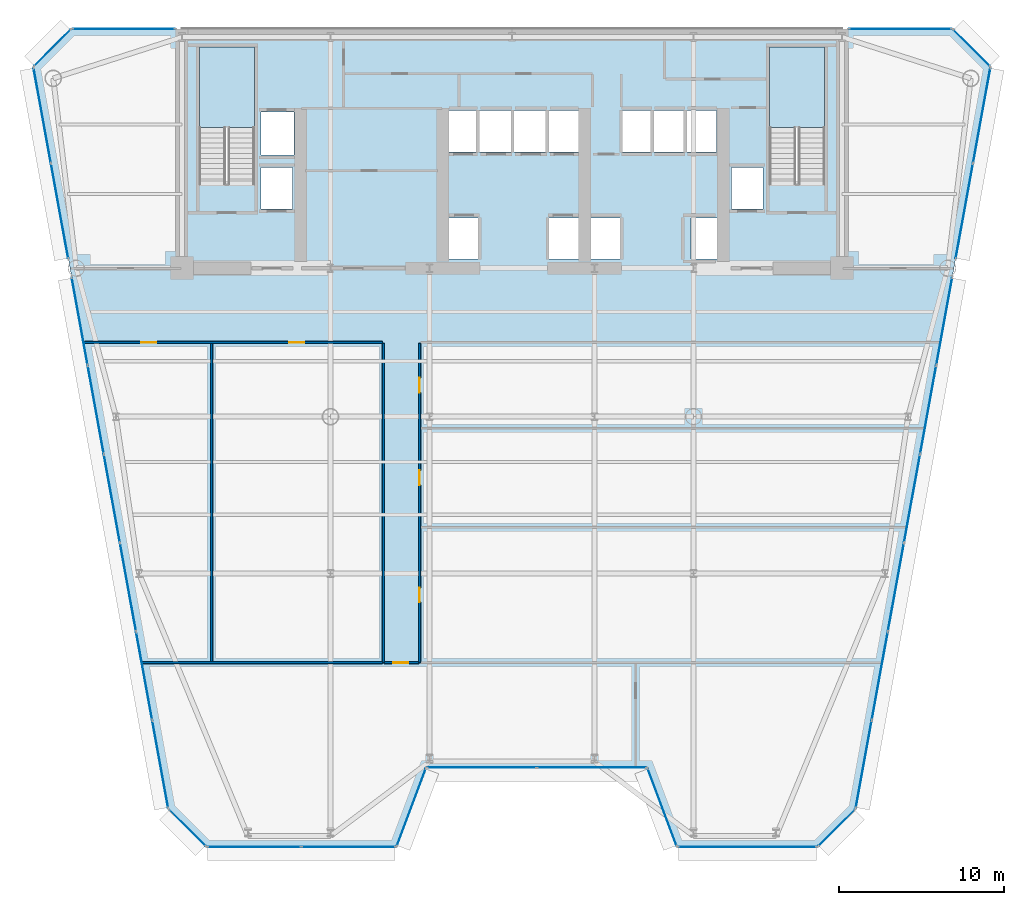
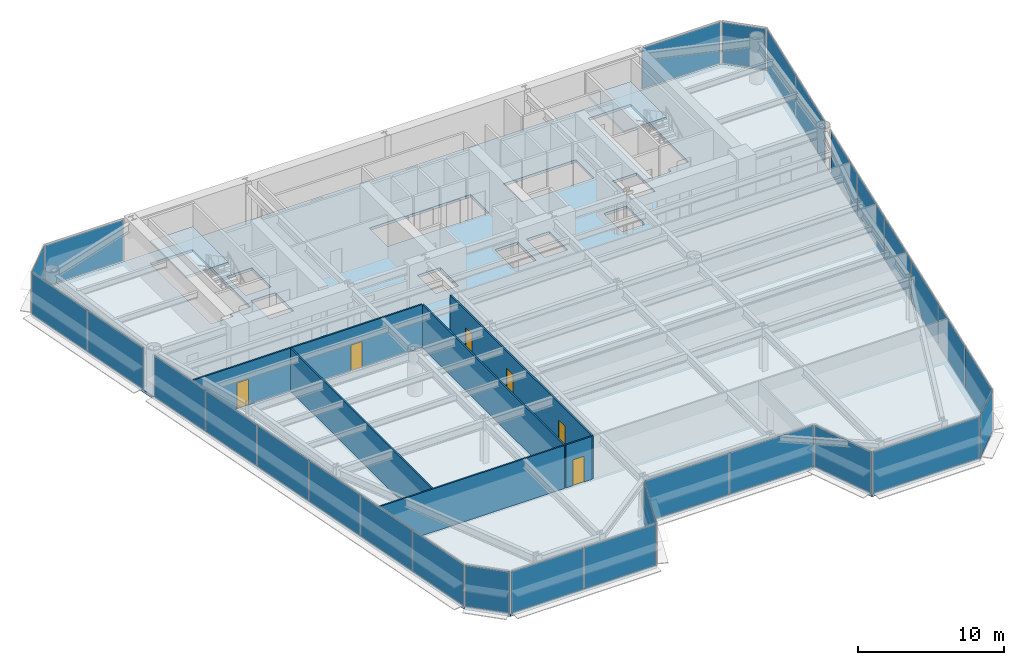
# One storey, part 7 of 14: 29 plates, 6 doors, 6 walls, 3 slabs, 6 openings, 17 elements without a shape of their own.
"""IFC4 building model written with IfcOpenShell, lengths in metres."""

from ifc_helpers import new_model, si_unit, direction, frame, frame_2d, origin, origin_2d, place, context, subcontext, project, spatial, polyline, rectangle, outline, extrude, source, transform, mapped, material, layer, layer_set, type_object, element, fill, aggregate, save


model = new_model("IFC4")

# Units and contexts
model_context = context("Model", 3, precision=1e-05, world=origin(), true_north=direction((0.0, 1.0)))
body_context = subcontext(model_context, "Body", "Model", "MODEL_VIEW")
ifc_project = project(units=[si_unit("LENGTHUNIT", "METRE"), si_unit("AREAUNIT", "SQUARE_METRE"), si_unit("VOLUMEUNIT", "CUBIC_METRE"), si_unit("PLANEANGLEUNIT", "RADIAN"), si_unit("MASSUNIT", "GRAM", prefix="KILO")], contexts=[model_context])

# Site, building, storey
site_placement = place(None, origin())
site = spatial("IfcSite", under=ifc_project, at=site_placement, CompositionType="ELEMENT")
building_placement = place(site_placement, origin())
building = spatial("IfcBuilding", under=site, at=building_placement, Name="Vaeldorn Concourse Tower", CompositionType="ELEMENT")
storey_placement = place(building_placement, frame((0.0, 0.0, 122.39990234375)))
storey = spatial("IfcBuildingStorey", under=building, at=storey_placement, Name="L31", CompositionType="ELEMENT", Elevation=122.39990234375)

# Stair, slab
ifc_material_1 = material(Name="Precast concrete C40/50", Category="concrete")
stair_type = type_object("IfcStairType", Name="STR-DOG-24x158", PredefinedType="HALF_TURN_STAIR", material=ifc_material_1)
stair_1_placement = place(storey_placement, origin())
stair_1 = element("IfcStair", 1, at=stair_1_placement, inside=storey, type_object=stair_type, Name="L31 West Core Exit Stair ST-1", PredefinedType="HALF_TURN_STAIR")
ifc_material_2 = material(Name="Concrete C40/50", Category="concrete")
ifc_layer_1 = layer(ifc_material_2, 0.199951171875)
ifc_layer_set_1 = layer_set([ifc_layer_1], Name="Concrete C40/50")
slab_type_1 = type_object("IfcSlabType", Name="SL-STAIR-LANDING", PredefinedType="LANDING", material=ifc_layer_set_1)
slab_1_placement = place(storey_placement, frame((0.0, 0.0, 1.7001953125)))
slab_1 = element("IfcSlab", 2, at=slab_1_placement, type_object=slab_type_1, Name="ST-1 landing 1", PredefinedType="LANDING", context=body_context, shape_type="SweptSolid", body=[
    extrude(outline(polyline([(18.39990234375, 45.010009765625), (18.39990234375, 49.89990234375), (15.050048828125, 49.89990234375), (15.050048828125, 45.010009765625), (18.39990234375, 45.010009765625)])), origin(), (0.0, 0.0, 1.0), 0.199951171875),
])
aggregate(stair_1, [slab_1])

stair_2_placement = place(storey_placement, origin())
stair_2 = element("IfcStair", 3, at=stair_2_placement, inside=storey, type_object=stair_type, Name="L31 East Core Exit Stair ST-2", PredefinedType="HALF_TURN_STAIR")
slab_2_placement = place(storey_placement, frame((0.0, 0.0, 1.7001953125)))
slab_2 = element("IfcSlab", 4, at=slab_2_placement, type_object=slab_type_1, Name="ST-2 landing 1", PredefinedType="LANDING", context=body_context, shape_type="SweptSolid", body=[
    extrude(outline(polyline([(52.949951171875, 45.010009765625), (52.949951171875, 49.89990234375), (49.60009765625, 49.89990234375), (49.60009765625, 45.010009765625), (52.949951171875, 45.010009765625)])), origin(), (0.0, 0.0, 1.0), 0.199951171875),
])
aggregate(stair_2, [slab_2])

# Slab
ifc_layer_2 = layer(ifc_material_2, 0.219970703125)
ifc_layer_set_2 = layer_set([ifc_layer_2], Name="Concrete C40/50")
slab_type_2 = type_object("IfcSlabType", Name="SL-TYP-220", PredefinedType="FLOOR", material=ifc_layer_set_2)
slab_3_placement = place(storey_placement, frame((0.0, 0.0, -0.219970703125)))
element("IfcSlab", 5, at=slab_3_placement, inside=storey, type_object=slab_type_2, Name="Structural Floor Slab L31", PredefinedType="FLOOR", context=body_context, shape_type="SweptSolid", body=[
    extrude(outline(polyline([(15.478271484375, 1.4345703125), (27.0, 1.4345703125), (28.800048828125, 6.234619140625), (42.199951171875, 6.234619140625), (44.0, 1.4345703125), (52.521728515625, 1.4345703125), (54.82177734375, 3.734619140625), (63.0, 48.699951171875), (60.699951171875, 51.0), (7.300048828125, 51.0), (5.0, 48.699951171875), (13.17822265625, 3.734619140625), (15.478271484375, 1.4345703125)]), holes=[polyline([(18.39990234375, 42.0), (18.39990234375, 49.89990234375), (15.050048828125, 49.89990234375), (15.050048828125, 41.60009765625), (16.800048828125, 41.60009765625), (16.800048828125, 42.0), (18.39990234375, 42.0)]), polyline([(52.949951171875, 42.0), (52.949951171875, 49.89990234375), (49.60009765625, 49.89990234375), (49.60009765625, 41.60009765625), (51.35009765625, 41.60009765625), (51.35009765625, 42.0), (52.949951171875, 42.0)]), polyline([(30.14990234375, 37.050048828125), (31.949951171875, 37.050048828125), (31.949951171875, 39.550048828125), (30.14990234375, 39.550048828125), (30.14990234375, 37.050048828125)]), polyline([(36.25, 37.050048828125), (38.050048828125, 37.050048828125), (38.050048828125, 39.550048828125), (36.25, 39.550048828125), (36.25, 37.050048828125)]), polyline([(30.10009765625, 43.550048828125), (38.10009765625, 43.550048828125), (38.10009765625, 46.050048828125), (30.10009765625, 46.050048828125), (30.10009765625, 43.550048828125)]), polyline([(38.75, 37.050048828125), (40.550048828125, 37.050048828125), (40.550048828125, 39.550048828125), (38.75, 39.550048828125), (38.75, 37.050048828125)]), polyline([(44.85009765625, 37.050048828125), (46.64990234375, 37.050048828125), (46.64990234375, 39.550048828125), (44.85009765625, 39.550048828125), (44.85009765625, 37.050048828125)]), polyline([(40.699951171875, 43.550048828125), (46.39990234375, 43.550048828125), (46.39990234375, 46.050048828125), (40.699951171875, 46.050048828125), (40.699951171875, 43.550048828125)]), polyline([(18.800048828125, 43.35009765625), (20.800048828125, 43.35009765625), (20.800048828125, 45.949951171875), (18.800048828125, 45.949951171875), (18.800048828125, 43.35009765625)]), polyline([(18.800048828125, 40.10009765625), (20.699951171875, 40.10009765625), (20.699951171875, 42.60009765625), (18.800048828125, 42.60009765625), (18.800048828125, 40.10009765625)]), polyline([(47.300048828125, 40.10009765625), (49.199951171875, 40.10009765625), (49.199951171875, 42.60009765625), (47.300048828125, 42.60009765625), (47.300048828125, 40.10009765625)])]), origin(), (0.0, 0.0, 1.0), 0.219970703125),
])

# Curtain wall, plate
ifc_material_3 = material(Name="Anodised Bronze Aluminium", Category="aluminium")
ifc_layer_3 = layer(ifc_material_3, 0.199951171875)
ifc_layer_set_3 = layer_set([ifc_layer_3], Name="Anodised Bronze Aluminium")
curtain_wall_type = type_object("IfcCurtainWallType", Name="CW-SYS-02", PredefinedType="NOTDEFINED", material=ifc_layer_set_3)
curtain_wall_1_placement = place(storey_placement, origin())
curtain_wall_1 = element("IfcCurtainWall", 6, at=curtain_wall_1_placement, inside=storey, type_object=curtain_wall_type, Name="Unitised Curtain Wall CW-L31-E02-1", PredefinedType="NOTDEFINED")
ifc_material_4 = material(Name="Bronze Tinted Low-E Insulated Glass", Category="glass")
ifc_layer_4 = layer(ifc_material_4, 0.031982421875)
ifc_layer_set_4 = layer_set([ifc_layer_4], Name="Bronze Tinted Low-E Insulated Glass")
plate_type = type_object("IfcPlateType", Name="CWP-VISION-32", PredefinedType="CURTAIN_PANEL", material=ifc_layer_set_4)
shared_shape_1 = source(origin(), body_context, "Body", "SweptSolid", [
    extrude(rectangle(XDim=4.976318359375, YDim=0.031982421875, at=origin_2d()), origin(), (0.0, 0.0, 1.0), 3.429931640625),
])
plate_1_placement = place(storey_placement, frame((27.89990234375, 3.83447265625, 0.0751953125), z_axis=(0.0, 0.0, 1.0), x_axis=(0.351123441595, 0.936329177566, 0.0)))
plate_1 = element("IfcPlate", 7, at=plate_1_placement, type_object=plate_type, Name="CW-02 panel 1.1", PredefinedType="CURTAIN_PANEL", context=body_context, shape_type="MappedRepresentation", body=[
    mapped(shared_shape_1, transform((0.0, 0.0, 0.0), scale=1.0)),
])
aggregate(curtain_wall_1, [plate_1])

curtain_wall_2_placement = place(storey_placement, origin())
curtain_wall_2 = element("IfcCurtainWall", 8, at=curtain_wall_2_placement, inside=storey, type_object=curtain_wall_type, Name="Unitised Curtain Wall CW-L31-E04-1", PredefinedType="NOTDEFINED")
plate_2_placement = place(storey_placement, frame((43.10009765625, 3.83447265625, 0.0751953125), z_axis=(0.0, 0.0, 1.0), x_axis=(0.351123441595, -0.936329177566, 0.0)))
plate_2 = element("IfcPlate", 9, at=plate_2_placement, type_object=plate_type, Name="CW-02 panel 1.1", PredefinedType="CURTAIN_PANEL", context=body_context, shape_type="MappedRepresentation", body=[
    mapped(shared_shape_1, transform((0.0, 0.0, 0.0), scale=1.0)),
])
aggregate(curtain_wall_2, [plate_2])

# Curtain wall, plates
curtain_wall_3_placement = place(storey_placement, origin())
curtain_wall_3 = element("IfcCurtainWall", 10, at=curtain_wall_3_placement, inside=storey, type_object=curtain_wall_type, Name="Unitised Curtain Wall CW-L31-E03-1", PredefinedType="NOTDEFINED")
shared_shape_2 = source(origin(), body_context, "Body", "SweptSolid", [
    extrude(rectangle(XDim=6.58740234375, YDim=0.031982421875, at=origin_2d()), origin(), (0.0, 0.0, 1.0), 3.429931640625),
])
plate_3_placement = place(storey_placement, frame((32.168701171875, 6.234619140625, 0.0751953125), z_axis=(0.0, 0.0, 1.0), x_axis=(1.0, 0.0, 0.0)))
plate_3 = element("IfcPlate", 11, at=plate_3_placement, type_object=plate_type, Name="CW-02 panel 1.1", PredefinedType="CURTAIN_PANEL", context=body_context, shape_type="MappedRepresentation", body=[
    mapped(shared_shape_2, transform((0.0, 0.0, 0.0), scale=1.0)),
])
plate_4_placement = place(storey_placement, frame((38.831298828125, 6.234619140625, 0.0751953125), z_axis=(0.0, 0.0, 1.0), x_axis=(1.0, 0.0, 0.0)))
plate_4 = element("IfcPlate", 12, at=plate_4_placement, type_object=plate_type, Name="CW-02 panel 2.1", PredefinedType="CURTAIN_PANEL", context=body_context, shape_type="MappedRepresentation", body=[
    mapped(shared_shape_2, transform((0.0, 0.0, 0.0), scale=1.0)),
])
aggregate(curtain_wall_3, [plate_3, plate_4])

# Curtain wall, plate
curtain_wall_4_placement = place(storey_placement, origin())
curtain_wall_4 = element("IfcCurtainWall", 13, at=curtain_wall_4_placement, inside=storey, type_object=curtain_wall_type, Name="Unitised Curtain Wall CW-L31-E06-1", PredefinedType="NOTDEFINED")
shared_shape_3 = source(origin(), body_context, "Body", "SweptSolid", [
    extrude(rectangle(XDim=3.102783203125, YDim=0.031982421875, at=origin_2d()), origin(), (0.0, 0.0, 1.0), 3.429931640625),
])
plate_5_placement = place(storey_placement, frame((53.671630859375, 2.58447265625, 0.0751953125), z_axis=(0.0, 0.0, 1.0), x_axis=(0.707106781187, 0.707106781187, 0.0)))
plate_5 = element("IfcPlate", 14, at=plate_5_placement, type_object=plate_type, Name="CW-02 panel 1.1", PredefinedType="CURTAIN_PANEL", context=body_context, shape_type="MappedRepresentation", body=[
    mapped(shared_shape_3, transform((0.0, 0.0, 0.0), scale=1.0)),
])
aggregate(curtain_wall_4, [plate_5])

curtain_wall_5_placement = place(storey_placement, origin())
curtain_wall_5 = element("IfcCurtainWall", 15, at=curtain_wall_5_placement, inside=storey, type_object=curtain_wall_type, Name="Unitised Curtain Wall CW-L31-E08-1", PredefinedType="NOTDEFINED")
plate_6_placement = place(storey_placement, frame((61.85009765625, 49.85009765625, 0.0751953125), z_axis=(0.0, 0.0, 1.0), x_axis=(-0.707106781187, 0.707106781187, 0.0)))
plate_6 = element("IfcPlate", 16, at=plate_6_placement, type_object=plate_type, Name="CW-02 panel 1.1", PredefinedType="CURTAIN_PANEL", context=body_context, shape_type="MappedRepresentation", body=[
    mapped(shared_shape_3, transform((0.0, 0.0, 0.0), scale=1.0)),
])
aggregate(curtain_wall_5, [plate_6])

curtain_wall_6_placement = place(storey_placement, origin())
curtain_wall_6 = element("IfcCurtainWall", 17, at=curtain_wall_6_placement, inside=storey, type_object=curtain_wall_type, Name="Unitised Curtain Wall CW-L31-E10-1", PredefinedType="NOTDEFINED")
plate_7_placement = place(storey_placement, frame((6.14990234375, 49.85009765625, 0.0751953125), z_axis=(0.0, 0.0, 1.0), x_axis=(-0.707106781187, -0.707106781187, 0.0)))
plate_7 = element("IfcPlate", 18, at=plate_7_placement, type_object=plate_type, Name="CW-02 panel 1.1", PredefinedType="CURTAIN_PANEL", context=body_context, shape_type="MappedRepresentation", body=[
    mapped(shared_shape_3, transform((0.0, 0.0, 0.0), scale=1.0)),
])
aggregate(curtain_wall_6, [plate_7])

curtain_wall_7_placement = place(storey_placement, origin())
curtain_wall_7 = element("IfcCurtainWall", 19, at=curtain_wall_7_placement, inside=storey, type_object=curtain_wall_type, Name="Unitised Curtain Wall CW-L31-E12-1", PredefinedType="NOTDEFINED")
plate_8_placement = place(storey_placement, frame((14.328369140625, 2.58447265625, 0.0751953125), z_axis=(0.0, 0.0, 1.0), x_axis=(0.707106781187, -0.707106781187, 0.0)))
plate_8 = element("IfcPlate", 20, at=plate_8_placement, type_object=plate_type, Name="CW-02 panel 1.1", PredefinedType="CURTAIN_PANEL", context=body_context, shape_type="MappedRepresentation", body=[
    mapped(shared_shape_3, transform((0.0, 0.0, 0.0), scale=1.0)),
])
aggregate(curtain_wall_7, [plate_8])

# Curtain wall, plates
curtain_wall_8_placement = place(storey_placement, origin())
curtain_wall_8 = element("IfcCurtainWall", 21, at=curtain_wall_8_placement, inside=storey, type_object=curtain_wall_type, Name="Unitised Curtain Wall CW-L31-E01-1", PredefinedType="NOTDEFINED")
shared_shape_4 = source(origin(), body_context, "Body", "SweptSolid", [
    extrude(rectangle(XDim=5.6484375, YDim=0.031982421875, at=origin_2d()), origin(), (0.0, 0.0, 1.0), 3.429931640625),
])
plate_9_placement = place(storey_placement, frame((18.37744140625, 1.4345703125, 0.0751953125), z_axis=(0.0, 0.0, 1.0), x_axis=(1.0, 0.0, 0.0)))
plate_9 = element("IfcPlate", 22, at=plate_9_placement, type_object=plate_type, Name="CW-02 panel 1.1", PredefinedType="CURTAIN_PANEL", context=body_context, shape_type="MappedRepresentation", body=[
    mapped(shared_shape_4, transform((0.0, 0.0, 0.0), scale=1.0)),
])
plate_10_placement = place(storey_placement, frame((24.100830078125, 1.4345703125, 0.0751953125), z_axis=(0.0, 0.0, 1.0), x_axis=(1.0, 0.0, 0.0)))
plate_10 = element("IfcPlate", 23, at=plate_10_placement, type_object=plate_type, Name="CW-02 panel 2.1", PredefinedType="CURTAIN_PANEL", context=body_context, shape_type="MappedRepresentation", body=[
    mapped(shared_shape_4, transform((0.0, 0.0, 0.0), scale=1.0)),
])
aggregate(curtain_wall_8, [plate_9, plate_10])

# Curtain wall, plate
curtain_wall_9_placement = place(storey_placement, origin())
curtain_wall_9 = element("IfcCurtainWall", 24, at=curtain_wall_9_placement, inside=storey, type_object=curtain_wall_type, Name="Unitised Curtain Wall CW-L31-E05-1", PredefinedType="NOTDEFINED")
shared_shape_5 = source(origin(), body_context, "Body", "SweptSolid", [
    extrude(rectangle(XDim=8.37158203125, YDim=0.031982421875, at=origin_2d()), origin(), (0.0, 0.0, 1.0), 3.429931640625),
])
plate_11_placement = place(storey_placement, frame((48.2607421875, 1.4345703125, 0.0751953125), z_axis=(0.0, 0.0, 1.0), x_axis=(1.0, 0.0, 0.0)))
plate_11 = element("IfcPlate", 25, at=plate_11_placement, type_object=plate_type, Name="CW-02 panel 1.1", PredefinedType="CURTAIN_PANEL", context=body_context, shape_type="MappedRepresentation", body=[
    mapped(shared_shape_5, transform((0.0, 0.0, 0.0), scale=1.0)),
])
aggregate(curtain_wall_9, [plate_11])

curtain_wall_10_placement = place(storey_placement, origin())
curtain_wall_10 = element("IfcCurtainWall", 26, at=curtain_wall_10_placement, inside=storey, type_object=curtain_wall_type, Name="Unitised Curtain Wall CW-L31-E09-1", PredefinedType="NOTDEFINED")
shared_shape_6 = source(origin(), body_context, "Body", "SweptSolid", [
    extrude(rectangle(XDim=6.179931640625, YDim=0.031982421875, at=origin_2d()), origin(), (0.0, 0.0, 1.0), 3.429931640625),
])
plate_12_placement = place(storey_placement, frame((57.534912109375, 51.0, 0.0751953125), z_axis=(0.0, 0.0, 1.0), x_axis=(-1.0, 0.0, 0.0)))
plate_12 = element("IfcPlate", 27, at=plate_12_placement, type_object=plate_type, Name="CW-02 panel 1.1", PredefinedType="CURTAIN_PANEL", context=body_context, shape_type="MappedRepresentation", body=[
    mapped(shared_shape_6, transform((0.0, 0.0, 0.0), scale=1.0)),
])
aggregate(curtain_wall_10, [plate_12])

curtain_wall_11_placement = place(storey_placement, origin())
curtain_wall_11 = element("IfcCurtainWall", 28, at=curtain_wall_11_placement, inside=storey, type_object=curtain_wall_type, Name="Unitised Curtain Wall CW-L31-E09-2", PredefinedType="NOTDEFINED")
plate_13_placement = place(storey_placement, frame((10.465087890625, 51.0, 0.0751953125), z_axis=(0.0, 0.0, 1.0), x_axis=(-1.0, 0.0, 0.0)))
plate_13 = element("IfcPlate", 29, at=plate_13_placement, type_object=plate_type, Name="CW-02 panel 1.1", PredefinedType="CURTAIN_PANEL", context=body_context, shape_type="MappedRepresentation", body=[
    mapped(shared_shape_6, transform((0.0, 0.0, 0.0), scale=1.0)),
])
aggregate(curtain_wall_11, [plate_13])

# Curtain wall, plates
curtain_wall_12_placement = place(storey_placement, origin())
curtain_wall_12 = element("IfcCurtainWall", 30, at=curtain_wall_12_placement, inside=storey, type_object=curtain_wall_type, Name="Unitised Curtain Wall CW-L31-E07-1", PredefinedType="NOTDEFINED")
shared_shape_7 = source(origin(), body_context, "Body", "SweptSolid", [
    extrude(rectangle(XDim=5.350341796875, YDim=0.031982421875, at=origin_2d()), origin(), (0.0, 0.0, 1.0), 3.429931640625),
])
plate_14_placement = place(storey_placement, frame((55.313720703125, 6.440185546875, 0.0751953125), z_axis=(0.0, 0.0, 1.0), x_axis=(0.178945041465, 0.983859071278, 0.0)))
plate_14 = element("IfcPlate", 31, at=plate_14_placement, type_object=plate_type, Name="CW-02 panel 1.1", PredefinedType="CURTAIN_PANEL", context=body_context, shape_type="MappedRepresentation", body=[
    mapped(shared_shape_7, transform((0.0, 0.0, 0.0), scale=1.0)),
])
plate_15_placement = place(storey_placement, frame((60.19482421875, 33.2763671875, 0.0751953125), z_axis=(0.0, 0.0, 1.0), x_axis=(0.178945041465, 0.983859071278, 0.0)))
plate_15 = element("IfcPlate", 32, at=plate_15_placement, type_object=plate_type, Name="CW-02 panel 6.1", PredefinedType="CURTAIN_PANEL", context=body_context, shape_type="MappedRepresentation", body=[
    mapped(shared_shape_7, transform((0.0, 0.0, 0.0), scale=1.0)),
])

curtain_wall_13_placement = place(storey_placement, origin())
curtain_wall_13 = element("IfcCurtainWall", 33, at=curtain_wall_13_placement, inside=storey, type_object=curtain_wall_type, Name="Unitised Curtain Wall CW-L31-E11-2", PredefinedType="NOTDEFINED")
plate_16_placement = place(storey_placement, frame((7.80517578125, 33.2763671875, 0.0751953125), z_axis=(0.0, 0.0, 1.0), x_axis=(0.178945041465, -0.983859071278, 0.0)))
plate_16 = element("IfcPlate", 34, at=plate_16_placement, type_object=plate_type, Name="CW-02 panel 1.1", PredefinedType="CURTAIN_PANEL", context=body_context, shape_type="MappedRepresentation", body=[
    mapped(shared_shape_7, transform((0.0, 0.0, 0.0), scale=1.0)),
])
plate_17_placement = place(storey_placement, frame((12.686279296875, 6.440185546875, 0.0751953125), z_axis=(0.0, 0.0, 1.0), x_axis=(0.178945041465, -0.983859071278, 0.0)))
plate_17 = element("IfcPlate", 35, at=plate_17_placement, type_object=plate_type, Name="CW-02 panel 6.1", PredefinedType="CURTAIN_PANEL", context=body_context, shape_type="MappedRepresentation", body=[
    mapped(shared_shape_7, transform((0.0, 0.0, 0.0), scale=1.0)),
])

# Plate
shared_shape_8 = source(origin(), body_context, "Body", "SweptSolid", [
    extrude(rectangle(XDim=5.3876953125, YDim=0.031982421875, at=origin_2d()), origin(), (0.0, 0.0, 1.0), 3.429931640625),
])
plate_18_placement = place(storey_placement, frame((56.2880859375, 11.79638671875, 0.0751953125), z_axis=(0.0, 0.0, 1.0), x_axis=(0.178945041465, 0.983859071278, 0.0)))
plate_18 = element("IfcPlate", 36, at=plate_18_placement, type_object=plate_type, Name="CW-02 panel 2.1", PredefinedType="CURTAIN_PANEL", context=body_context, shape_type="MappedRepresentation", body=[
    mapped(shared_shape_8, transform((0.0, 0.0, 0.0), scale=1.0)),
])

plate_19_placement = place(storey_placement, frame((57.265625, 17.1708984375, 0.0751953125), z_axis=(0.0, 0.0, 1.0), x_axis=(0.178945041465, 0.983859071278, 0.0)))
plate_19 = element("IfcPlate", 37, at=plate_19_placement, type_object=plate_type, Name="CW-02 panel 3.1", PredefinedType="CURTAIN_PANEL", context=body_context, shape_type="MappedRepresentation", body=[
    mapped(shared_shape_8, transform((0.0, 0.0, 0.0), scale=1.0)),
])

plate_20_placement = place(storey_placement, frame((58.2431640625, 22.545654296875, 0.0751953125), z_axis=(0.0, 0.0, 1.0), x_axis=(0.178945041465, 0.983859071278, 0.0)))
plate_20 = element("IfcPlate", 38, at=plate_20_placement, type_object=plate_type, Name="CW-02 panel 4.1", PredefinedType="CURTAIN_PANEL", context=body_context, shape_type="MappedRepresentation", body=[
    mapped(shared_shape_8, transform((0.0, 0.0, 0.0), scale=1.0)),
])

plate_21_placement = place(storey_placement, frame((59.220703125, 27.920166015625, 0.0751953125), z_axis=(0.0, 0.0, 1.0), x_axis=(0.178945041465, 0.983859071278, 0.0)))
plate_21 = element("IfcPlate", 39, at=plate_21_placement, type_object=plate_type, Name="CW-02 panel 5.1", PredefinedType="CURTAIN_PANEL", context=body_context, shape_type="MappedRepresentation", body=[
    mapped(shared_shape_8, transform((0.0, 0.0, 0.0), scale=1.0)),
])

aggregate(curtain_wall_12, [plate_14, plate_18, plate_19, plate_20, plate_21, plate_15])

plate_22_placement = place(storey_placement, frame((8.779296875, 27.920166015625, 0.0751953125), z_axis=(0.0, 0.0, 1.0), x_axis=(0.178945041465, -0.983859071278, 0.0)))
plate_22 = element("IfcPlate", 40, at=plate_22_placement, type_object=plate_type, Name="CW-02 panel 2.1", PredefinedType="CURTAIN_PANEL", context=body_context, shape_type="MappedRepresentation", body=[
    mapped(shared_shape_8, transform((0.0, 0.0, 0.0), scale=1.0)),
])

plate_23_placement = place(storey_placement, frame((9.7568359375, 22.545654296875, 0.0751953125), z_axis=(0.0, 0.0, 1.0), x_axis=(0.178945041465, -0.983859071278, 0.0)))
plate_23 = element("IfcPlate", 41, at=plate_23_placement, type_object=plate_type, Name="CW-02 panel 3.1", PredefinedType="CURTAIN_PANEL", context=body_context, shape_type="MappedRepresentation", body=[
    mapped(shared_shape_8, transform((0.0, 0.0, 0.0), scale=1.0)),
])

plate_24_placement = place(storey_placement, frame((10.734375, 17.1708984375, 0.0751953125), z_axis=(0.0, 0.0, 1.0), x_axis=(0.178945041465, -0.983859071278, 0.0)))
plate_24 = element("IfcPlate", 42, at=plate_24_placement, type_object=plate_type, Name="CW-02 panel 4.1", PredefinedType="CURTAIN_PANEL", context=body_context, shape_type="MappedRepresentation", body=[
    mapped(shared_shape_8, transform((0.0, 0.0, 0.0), scale=1.0)),
])

plate_25_placement = place(storey_placement, frame((11.7119140625, 11.79638671875, 0.0751953125), z_axis=(0.0, 0.0, 1.0), x_axis=(0.178945041465, -0.983859071278, 0.0)))
plate_25 = element("IfcPlate", 43, at=plate_25_placement, type_object=plate_type, Name="CW-02 panel 5.1", PredefinedType="CURTAIN_PANEL", context=body_context, shape_type="MappedRepresentation", body=[
    mapped(shared_shape_8, transform((0.0, 0.0, 0.0), scale=1.0)),
])

aggregate(curtain_wall_13, [plate_16, plate_22, plate_23, plate_24, plate_25, plate_17])

# Curtain wall, plates
curtain_wall_14_placement = place(storey_placement, origin())
curtain_wall_14 = element("IfcCurtainWall", 44, at=curtain_wall_14_placement, inside=storey, type_object=curtain_wall_type, Name="Unitised Curtain Wall CW-L31-E07-2", PredefinedType="NOTDEFINED")
shared_shape_9 = source(origin(), body_context, "Body", "SweptSolid", [
    extrude(rectangle(XDim=5.82421875, YDim=0.031982421875, at=origin_2d()), origin(), (0.0, 0.0, 1.0), 3.429931640625),
])
plate_26_placement = place(storey_placement, frame((61.409912109375, 39.95703125, 0.0751953125), z_axis=(0.0, 0.0, 1.0), x_axis=(0.178942505462, 0.983859532524, 0.0)))
plate_26 = element("IfcPlate", 45, at=plate_26_placement, type_object=plate_type, Name="CW-02 panel 1.1", PredefinedType="CURTAIN_PANEL", context=body_context, shape_type="MappedRepresentation", body=[
    mapped(shared_shape_9, transform((0.0, 0.0, 0.0), scale=1.0)),
])
plate_27_placement = place(storey_placement, frame((62.465576171875, 45.760986328125, 0.0751953125), z_axis=(0.0, 0.0, 1.0), x_axis=(0.178942505462, 0.983859532524, 0.0)))
plate_27 = element("IfcPlate", 46, at=plate_27_placement, type_object=plate_type, Name="CW-02 panel 2.1", PredefinedType="CURTAIN_PANEL", context=body_context, shape_type="MappedRepresentation", body=[
    mapped(shared_shape_9, transform((0.0, 0.0, 0.0), scale=1.0)),
])
aggregate(curtain_wall_14, [plate_26, plate_27])

curtain_wall_15_placement = place(storey_placement, origin())
curtain_wall_15 = element("IfcCurtainWall", 47, at=curtain_wall_15_placement, inside=storey, type_object=curtain_wall_type, Name="Unitised Curtain Wall CW-L31-E11-1", PredefinedType="NOTDEFINED")
plate_28_placement = place(storey_placement, frame((5.534423828125, 45.760986328125, 0.0751953125), z_axis=(0.0, 0.0, 1.0), x_axis=(0.178942505462, -0.983859532524, 0.0)))
plate_28 = element("IfcPlate", 48, at=plate_28_placement, type_object=plate_type, Name="CW-02 panel 1.1", PredefinedType="CURTAIN_PANEL", context=body_context, shape_type="MappedRepresentation", body=[
    mapped(shared_shape_9, transform((0.0, 0.0, 0.0), scale=1.0)),
])
plate_29_placement = place(storey_placement, frame((6.590087890625, 39.95703125, 0.0751953125), z_axis=(0.0, 0.0, 1.0), x_axis=(0.178942505462, -0.983859532524, 0.0)))
plate_29 = element("IfcPlate", 49, at=plate_29_placement, type_object=plate_type, Name="CW-02 panel 2.1", PredefinedType="CURTAIN_PANEL", context=body_context, shape_type="MappedRepresentation", body=[
    mapped(shared_shape_9, transform((0.0, 0.0, 0.0), scale=1.0)),
])
aggregate(curtain_wall_15, [plate_28, plate_29])

# Wall, openings, doors
ifc_material_5 = material(Name="Gypsum Board Partition", Category="gypsum")
ifc_layer_5 = layer(ifc_material_5, 0.1201171875)
ifc_layer_set_5 = layer_set([ifc_layer_5], Name="Gypsum Board Partition")
wall_type = type_object("IfcWallType", Name="WL-PART-120", PredefinedType="PARTITIONING", material=ifc_layer_set_5)
wall_1_placement = place(storey_placement, frame((8.077392578125, 32.0, 0.0), z_axis=(0.0, 0.0, 1.0), x_axis=(1.0, 0.0, 0.0)))
wall_1 = element("IfcWall", 50, at=wall_1_placement, inside=storey, type_object=wall_type, Name="Interior Wall PW-L31-C2SW", PredefinedType="PARTITIONING", context=body_context, shape_type="SweptSolid", body=[
    extrude(rectangle(XDim=18.0625, YDim=0.1201171875, at=frame_2d((9.03125, 0.0))), origin(), (0.0, 0.0, 1.0), 3.580078125),
])
opening_1_placement = place(wall_1_placement, frame((3.4609375, 0.0, 0.0)))
opening_1 = element("IfcOpeningElement", 51, at=opening_1_placement, cuts=wall_1, Name="Opening D-03", PredefinedType="OPENING", context=body_context, shape_type="SweptSolid", body=[
    extrude(rectangle(XDim=0.89990234375, YDim=2.14990234375, at=frame_2d((0.449951171875, 1.074951171875))), frame((0.0, 0.070068359375, 0.0), z_axis=(0.0, -1.0, 0.0), x_axis=(1.0, 0.0, 0.0)), (0.0, 0.0, 1.0), 0.14013671875),
])
opening_2_placement = place(wall_1_placement, frame((12.423095703125, 0.0, 0.0)))
opening_2 = element("IfcOpeningElement", 52, at=opening_2_placement, cuts=wall_1, Name="Opening D-03", PredefinedType="OPENING", context=body_context, shape_type="SweptSolid", body=[
    extrude(rectangle(XDim=0.89990234375, YDim=2.14990234375, at=frame_2d((0.449951171875, 1.074951171875))), frame((0.0, 0.070068359375, 0.0), z_axis=(0.0, -1.0, 0.0), x_axis=(1.0, 0.0, 0.0)), (0.0, 0.0, 1.0), 0.14013671875),
])
ifc_material_6 = material(Name="Acoustic Bronze-Framed Glass Door", Category="glass")
door_type = type_object("IfcDoorType", Name="DR-INT-900", OperationType="NOTDEFINED", PredefinedType="DOOR", material=ifc_material_6)
shared_shape_10 = source(origin(), body_context, "Body", "SweptSolid", [
    extrude(rectangle(XDim=0.89990234375, YDim=2.14990234375, at=frame_2d((0.449951171875, 1.074951171875))), frame((0.0, 0.02490234375, 0.0), z_axis=(0.0, -1.0, 0.0), x_axis=(1.0, 0.0, 0.0)), (0.0, 0.0, 1.0), 0.050048828125),
])
door_1_placement = place(opening_1_placement, origin())
door_1 = element("IfcDoor", 53, at=door_1_placement, inside=storey, type_object=door_type, Name="Interior Door DR-L31-Z2W1", OperationType="SINGLE_SWING_LEFT", OverallHeight=2.14990234375, OverallWidth=0.89990234375, PredefinedType="DOOR", context=body_context, shape_type="MappedRepresentation", body=[
    mapped(shared_shape_10, transform((0.0, 0.0, 0.0), scale=1.0)),
])
fill(opening_1, door_1)
door_2_placement = place(opening_2_placement, origin())
door_2 = element("IfcDoor", 54, at=door_2_placement, inside=storey, type_object=door_type, Name="Interior Door DR-L31-Z2W2", OperationType="SINGLE_SWING_RIGHT", OverallHeight=2.14990234375, OverallWidth=0.89990234375, PredefinedType="DOOR", context=body_context, shape_type="MappedRepresentation", body=[
    mapped(shared_shape_10, transform((0.0, 0.0, 0.0), scale=1.0)),
])
fill(opening_2, door_2)

# Wall
wall_2_placement = place(storey_placement, frame((26.199951171875, 12.60009765625, 0.0), z_axis=(0.0, 0.0, 1.0), x_axis=(0.0, 1.0, 0.0)))
element("IfcWall", 55, at=wall_2_placement, inside=storey, type_object=wall_type, Name="Interior Wall PW-L31-SP2W", PredefinedType="PARTITIONING", context=body_context, shape_type="SweptSolid", body=[
    extrude(rectangle(XDim=19.33984375, YDim=0.1201171875, at=frame_2d((9.669921875, 0.0))), origin(), (0.0, 0.0, 1.0), 3.580078125),
])

# Wall, openings, doors
wall_3_placement = place(storey_placement, frame((28.39990234375, 12.60009765625, 0.0), z_axis=(0.0, 0.0, 1.0), x_axis=(0.0, 1.0, 0.0)))
wall_3 = element("IfcWall", 56, at=wall_3_placement, inside=storey, type_object=wall_type, Name="Interior Wall PW-L31-SP2E", PredefinedType="PARTITIONING", context=body_context, shape_type="SweptSolid", body=[
    extrude(rectangle(XDim=19.33984375, YDim=0.1201171875, at=frame_2d((9.669921875, 0.0))), origin(), (0.0, 0.0, 1.0), 3.580078125),
])
opening_3_placement = place(wall_3_placement, frame((3.64990234375, 0.0, 0.0)))
opening_3 = element("IfcOpeningElement", 57, at=opening_3_placement, cuts=wall_3, Name="Opening D-03", PredefinedType="OPENING", context=body_context, shape_type="SweptSolid", body=[
    extrude(rectangle(XDim=0.89990234375, YDim=2.14990234375, at=frame_2d((0.449951171875, 1.074951171875))), frame((0.0, 0.070068359375, 0.0), z_axis=(0.0, -1.0, 0.0), x_axis=(1.0, 0.0, 0.0)), (0.0, 0.0, 1.0), 0.14013671875),
])
opening_4_placement = place(wall_3_placement, frame((10.75, 0.0, 0.0)))
opening_4 = element("IfcOpeningElement", 58, at=opening_4_placement, cuts=wall_3, Name="Opening D-03", PredefinedType="OPENING", context=body_context, shape_type="SweptSolid", body=[
    extrude(rectangle(XDim=0.89990234375, YDim=2.14990234375, at=frame_2d((0.449951171875, 1.074951171875))), frame((0.0, 0.070068359375, 0.0), z_axis=(0.0, -1.0, 0.0), x_axis=(1.0, 0.0, 0.0)), (0.0, 0.0, 1.0), 0.14013671875),
])
opening_5_placement = place(wall_3_placement, frame((16.35009765625, 0.0, 0.0)))
opening_5 = element("IfcOpeningElement", 59, at=opening_5_placement, cuts=wall_3, Name="Opening D-03", PredefinedType="OPENING", context=body_context, shape_type="SweptSolid", body=[
    extrude(rectangle(XDim=0.89990234375, YDim=2.14990234375, at=frame_2d((0.449951171875, 1.074951171875))), frame((0.0, 0.070068359375, 0.0), z_axis=(0.0, -1.0, 0.0), x_axis=(1.0, 0.0, 0.0)), (0.0, 0.0, 1.0), 0.14013671875),
])
door_3_placement = place(opening_3_placement, origin())
door_3 = element("IfcDoor", 60, at=door_3_placement, inside=storey, type_object=door_type, Name="Interior Door DR-L31-Z2E1", OperationType="SINGLE_SWING_RIGHT", OverallHeight=2.14990234375, OverallWidth=0.89990234375, PredefinedType="DOOR", context=body_context, shape_type="MappedRepresentation", body=[
    mapped(shared_shape_10, transform((0.0, 0.0, 0.0), scale=1.0)),
])
fill(opening_3, door_3)
door_4_placement = place(opening_4_placement, origin())
door_4 = element("IfcDoor", 61, at=door_4_placement, inside=storey, type_object=door_type, Name="Interior Door DR-L31-Z2E2", OperationType="SINGLE_SWING_LEFT", OverallHeight=2.14990234375, OverallWidth=0.89990234375, PredefinedType="DOOR", context=body_context, shape_type="MappedRepresentation", body=[
    mapped(shared_shape_10, transform((0.0, 0.0, 0.0), scale=1.0)),
])
fill(opening_4, door_4)
door_5_placement = place(opening_5_placement, origin())
door_5 = element("IfcDoor", 62, at=door_5_placement, inside=storey, type_object=door_type, Name="Interior Door DR-L31-Z2E3", OperationType="SINGLE_SWING_RIGHT", OverallHeight=2.14990234375, OverallWidth=0.89990234375, PredefinedType="DOOR", context=body_context, shape_type="MappedRepresentation", body=[
    mapped(shared_shape_10, transform((0.0, 0.0, 0.0), scale=1.0)),
])
fill(opening_5, door_5)

# Wall, opening, door
wall_4_placement = place(storey_placement, frame((26.260009765625, 12.60009765625, 0.0), z_axis=(0.0, 0.0, 1.0), x_axis=(1.0, 0.0, 0.0)))
wall_4 = element("IfcWall", 63, at=wall_4_placement, inside=storey, type_object=wall_type, Name="Interior Wall PW-L31-SP2S", PredefinedType="PARTITIONING", context=body_context, shape_type="SweptSolid", body=[
    extrude(rectangle(XDim=2.080078125, YDim=0.1201171875, at=frame_2d((1.0400390625, 0.0))), origin(), (0.0, 0.0, 1.0), 3.580078125),
])
opening_6_placement = place(wall_4_placement, frame((0.550048828125, 0.0, 0.0)))
opening_6 = element("IfcOpeningElement", 64, at=opening_6_placement, cuts=wall_4, Name="Opening D-03", PredefinedType="OPENING", context=body_context, shape_type="SweptSolid", body=[
    extrude(rectangle(XDim=0.89990234375, YDim=2.14990234375, at=frame_2d((0.449951171875, 1.074951171875))), frame((0.0, 0.070068359375, 0.0), z_axis=(0.0, -1.0, 0.0), x_axis=(1.0, 0.0, 0.0)), (0.0, 0.0, 1.0), 0.14013671875),
])
door_6_placement = place(opening_6_placement, origin())
door_6 = element("IfcDoor", 65, at=door_6_placement, inside=storey, type_object=door_type, Name="Interior Door DR-L31-Z2SFM", OperationType="SINGLE_SWING_LEFT", OverallHeight=2.14990234375, OverallWidth=0.89990234375, PredefinedType="DOOR", context=body_context, shape_type="MappedRepresentation", body=[
    mapped(shared_shape_10, transform((0.0, 0.0, 0.0), scale=1.0)),
])
fill(opening_6, door_6)

# Walls
wall_5_placement = place(storey_placement, frame((11.605712890625, 12.60009765625, 0.0), z_axis=(0.0, 0.0, 1.0), x_axis=(1.0, 0.0, 0.0)))
element("IfcWall", 66, at=wall_5_placement, inside=storey, type_object=wall_type, Name="Interior Wall PW-L31-S2WL", PredefinedType="PARTITIONING", context=body_context, shape_type="SweptSolid", body=[
    extrude(rectangle(XDim=14.5341796875, YDim=0.1201171875, at=frame_2d((7.26708984375, 0.0))), origin(), (0.0, 0.0, 1.0), 3.580078125),
])
wall_6_placement = place(storey_placement, frame((15.800048828125, 12.659912109375, 0.0), z_axis=(0.0, 0.0, 1.0), x_axis=(0.0, 1.0, 0.0)))
element("IfcWall", 67, at=wall_6_placement, inside=storey, type_object=wall_type, Name="Interior Wall PW-L31-Z2WX1", PredefinedType="PARTITIONING", context=body_context, shape_type="SweptSolid", body=[
    extrude(rectangle(XDim=19.280029296875, YDim=0.1201171875, at=frame_2d((9.64013671875, 0.0))), origin(), (0.0, 0.0, 1.0), 3.580078125),
])

save(model, "model.ifc")
